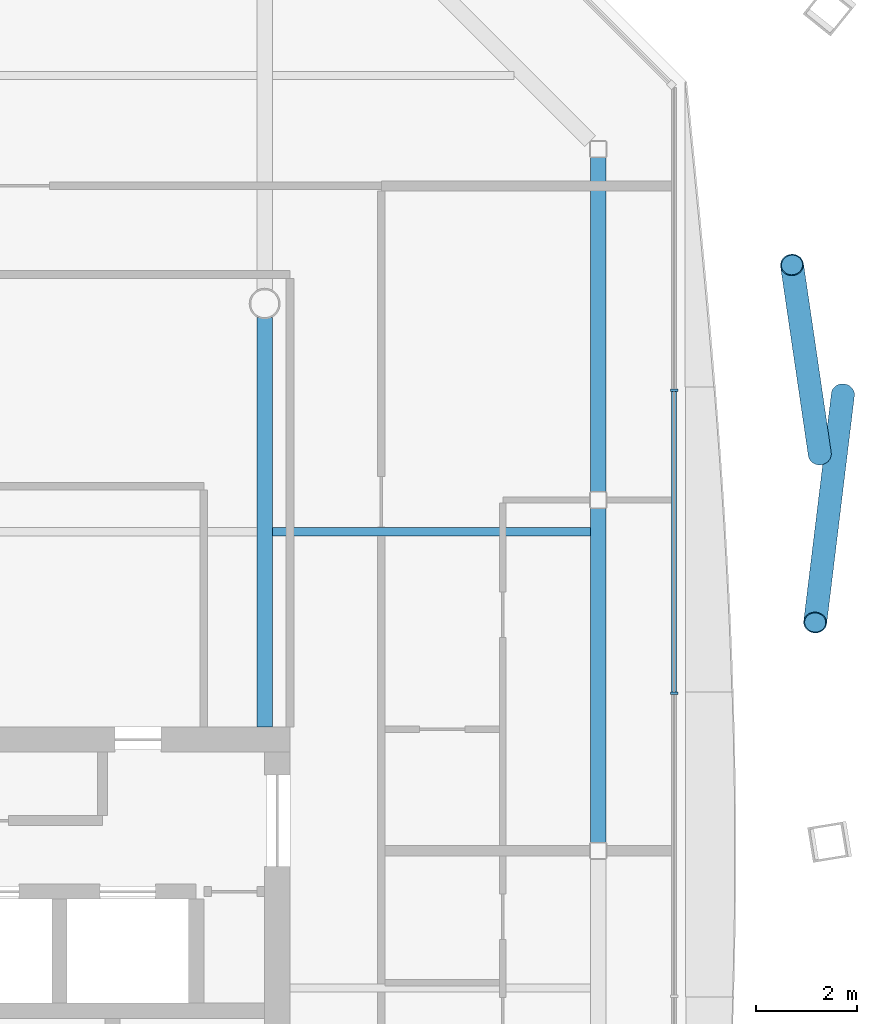
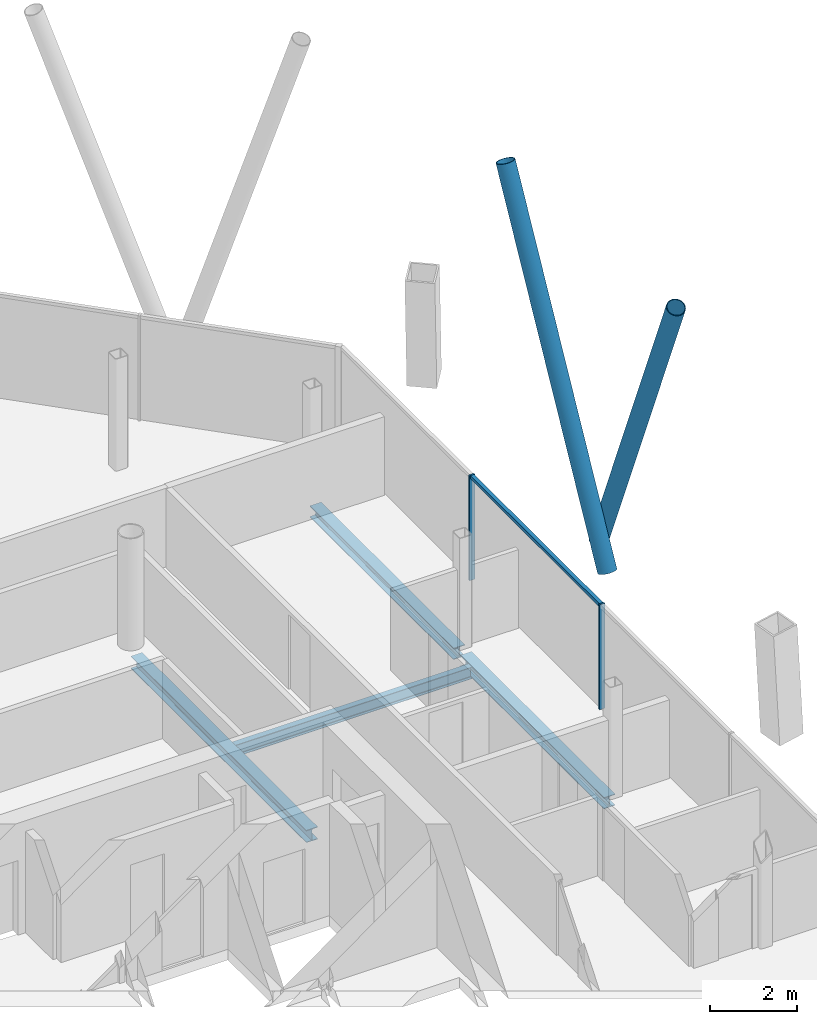
# One storey, part 8 of 19: 5 members, 4 beams, 1 element without a shape of its own.
"""IFC4 building model written with IfcOpenShell, lengths in metres."""

from ifc_helpers import new_model, si_unit, direction, frame, origin, origin_2d, place, context, subcontext, project, spatial, rectangle, hollow_circle, i_section, extrude, material, material_profile, profile_set, type_object, element, aggregate, save


model = new_model("IFC4")

# Units and contexts
model_context = context("Model", 3, precision=1e-05, world=origin(), true_north=direction((0.0, 1.0)))
body_context = subcontext(model_context, "Body", "Model", "MODEL_VIEW")
ifc_project = project(units=[si_unit("LENGTHUNIT", "METRE"), si_unit("AREAUNIT", "SQUARE_METRE"), si_unit("VOLUMEUNIT", "CUBIC_METRE"), si_unit("PLANEANGLEUNIT", "RADIAN"), si_unit("MASSUNIT", "GRAM", prefix="KILO")], contexts=[model_context])

# Site, building, storey
site_placement = place(None, origin())
site = spatial("IfcSite", under=ifc_project, at=site_placement, CompositionType="ELEMENT")
building_placement = place(site_placement, origin())
building = spatial("IfcBuilding", under=site, at=building_placement, Name="Tskaro Facet Tower", CompositionType="ELEMENT")
storey_placement = place(building_placement, frame((0.0, 0.0, 191.10009765625)))
storey = spatial("IfcBuildingStorey", under=building, at=storey_placement, Name="L48", CompositionType="ELEMENT", Elevation=191.10009765625)

# Members
ifc_material_1 = material(Name="Steel S355J2H", Category="steel")
ifc_material_profile_1 = material_profile(ifc_material_1, hollow_circle(Radius=0.228515625, WallThickness=0.02001953125, at=origin_2d()), Name="CHS 457x20")
ifc_profile_set_1 = profile_set([ifc_material_profile_1], Name="Steel S355J2H")
member_type_1 = type_object("IfcMemberType", Name="CHS 457x20 brace", PredefinedType="BRACE", material=ifc_profile_set_1)
member_1_placement = place(storey_placement, frame((19.951904296875, 6.031494140625, 0.0), z_axis=(-0.053817969941, 0.366840366664, 0.928725886092), x_axis=(-0.989409214742, -0.145153042623, 0.0)))
element("IfcMember", 1, at=member_1_placement, inside=storey, type_object=member_type_1, Name="CHS 457x20 XB05A/4", PredefinedType="BRACE", context=body_context, shape_type="SweptSolid", body=[
    extrude(hollow_circle(Radius=0.228515625, WallThickness=0.02001953125, at=origin_2d()), origin(), (0.0, 0.0, 1.0), 10.17529296875),
])
member_2_placement = place(storey_placement, frame((20.408935546875, 7.21142578125, 0.0), z_axis=(-0.052242906414, -0.429519142743, 0.901545331498), x_axis=(0.992684007914, -0.120741295469, 0.0)))
element("IfcMember", 2, at=member_2_placement, inside=storey, type_object=member_type_1, Name="CHS 457x20 XB05B/4", PredefinedType="BRACE", context=body_context, shape_type="SweptSolid", body=[
    extrude(hollow_circle(Radius=0.228515625, WallThickness=0.02001953125, at=origin_2d()), origin(), (0.0, 0.0, 1.0), 10.48193359375),
])

# Curtain wall, members
ifc_material_2 = material(Name="Bronze anodised aluminium 6063-T6", Category="aluminium")
curtain_wall_type = type_object("IfcCurtainWallType", Name="Bronze residence curtain wall (FW3)", PredefinedType="NOTDEFINED", material=ifc_material_2)
curtain_wall_placement = place(storey_placement, origin())
curtain_wall = element("IfcCurtainWall", 3, at=curtain_wall_placement, inside=storey, type_object=curtain_wall_type, Name="FW3 east facet L48", PredefinedType="NOTDEFINED")
ifc_material_profile_2 = material_profile(ifc_material_2, rectangle(XDim=0.050048828125, YDim=0.139892578125, at=origin_2d()), Name="Mullion 50x140")
ifc_profile_set_2 = profile_set([ifc_material_profile_2], Name="Bronze anodised aluminium 6063-T6")
member_type_2 = type_object("IfcMemberType", Name="FW3 bronze mullion 50x140", PredefinedType="MULLION", material=ifc_profile_set_2)
member_3_placement = place(storey_placement, frame((17.080078125, 1.314697265625, 0.0), z_axis=(0.0, 0.0, 1.0), x_axis=(0.0, 1.0, 0.0)))
member_3 = element("IfcMember", 4, at=member_3_placement, type_object=member_type_2, Name="FW3 east mullion 3", PredefinedType="MULLION", context=body_context, shape_type="SweptSolid", body=[
    extrude(rectangle(XDim=0.050048828125, YDim=0.139892578125, at=origin_2d()), origin(), (0.0, 0.0, 1.0), 2.949951171875),
])
member_4_placement = place(storey_placement, frame((17.080078125, 7.29248046875, 0.0), z_axis=(0.0, 0.0, 1.0), x_axis=(0.0, 1.0, 0.0)))
member_4 = element("IfcMember", 5, at=member_4_placement, type_object=member_type_2, Name="FW3 east mullion 4", PredefinedType="MULLION", context=body_context, shape_type="SweptSolid", body=[
    extrude(rectangle(XDim=0.050048828125, YDim=0.139892578125, at=origin_2d()), origin(), (0.0, 0.0, 1.0), 2.949951171875),
])
ifc_material_profile_3 = material_profile(ifc_material_2, rectangle(XDim=0.10009765625, YDim=0.090087890625, at=origin_2d()), Name="Transom 100x90")
ifc_profile_set_3 = profile_set([ifc_material_profile_3], Name="Bronze anodised aluminium 6063-T6")
member_type_3 = type_object("IfcMemberType", Name="FW3 bronze transom 100x90", PredefinedType="USERDEFINED", material=ifc_profile_set_3)
member_5_placement = place(storey_placement, frame((17.080078125, 1.33984375, 2.90478515625), z_axis=(0.0, 1.0, 0.0), x_axis=(-1.0, 0.0, 0.0)))
member_5 = element("IfcMember", 6, at=member_5_placement, type_object=member_type_3, Name="FW3 east transom 4.1", ObjectType="TRANSOM", PredefinedType="USERDEFINED", context=body_context, shape_type="SweptSolid", body=[
    extrude(rectangle(XDim=0.10009765625, YDim=0.090087890625, at=origin_2d()), origin(), (0.0, 0.0, 1.0), 5.927490234375),
])
aggregate(curtain_wall, [member_3, member_4, member_5])

# Beams
ifc_material_3 = material(Name="Steel S355J2", Category="steel")
ifc_material_profile_4 = material_profile(ifc_material_3, i_section(OverallWidth=0.300048828125, OverallDepth=0.320068359375, WebThickness=0.011474609375, FlangeThickness=0.0205078125, FilletRadius=0.027099609375, at=origin_2d()), Name="HE 320 B")
ifc_profile_set_4 = profile_set([ifc_material_profile_4], Name="Steel S355J2")
beam_type_1 = type_object("IfcBeamType", Name="HE 320 B ring beam", PredefinedType="BEAM", material=ifc_profile_set_4)
beam_1_placement = place(storey_placement, frame((15.5830078125, -1.637939453125, -0.300048828125), z_axis=(0.0, 1.0, 0.0), x_axis=(-1.0, 0.0, 0.0)))
element("IfcBeam", 7, at=beam_1_placement, inside=storey, type_object=beam_type_1, Name="HE 320 B EB8-4", PredefinedType="BEAM", context=body_context, shape_type="SweptSolid", body=[
    extrude(i_section(OverallWidth=0.300048828125, OverallDepth=0.320068359375, WebThickness=0.011474609375, FlangeThickness=0.0205078125, FilletRadius=0.027099609375, at=origin_2d()), origin(), (0.0, 0.0, 1.0), 6.60888671875),
])
beam_2_placement = place(storey_placement, frame((15.5830078125, 5.281005859375, -0.300048828125), z_axis=(0.0, 1.0, 0.0), x_axis=(-1.0, 0.0, 0.0)))
element("IfcBeam", 8, at=beam_2_placement, inside=storey, type_object=beam_type_1, Name="HE 320 B EB9-4", PredefinedType="BEAM", context=body_context, shape_type="SweptSolid", body=[
    extrude(i_section(OverallWidth=0.300048828125, OverallDepth=0.320068359375, WebThickness=0.011474609375, FlangeThickness=0.0205078125, FilletRadius=0.027099609375, at=origin_2d()), origin(), (0.0, 0.0, 1.0), 6.610107421875),
])
ifc_material_profile_5 = material_profile(ifc_material_3, i_section(OverallWidth=0.300048828125, OverallDepth=0.35009765625, WebThickness=0.010009765625, FlangeThickness=0.017578125, FilletRadius=0.027099609375, at=origin_2d()), Name="HE 360 A")
ifc_profile_set_5 = profile_set([ifc_material_profile_5], Name="Steel S355J2")
beam_type_2 = type_object("IfcBeamType", Name="HE 360 A girder", PredefinedType="BEAM", material=ifc_profile_set_5)
beam_3_placement = place(storey_placement, frame((9.0, 0.64990234375, -0.315185546875), z_axis=(0.0, 1.0, 0.0), x_axis=(-1.0, 0.0, 0.0)))
element("IfcBeam", 9, at=beam_3_placement, inside=storey, type_object=beam_type_2, Name="HE 360 A GB5-2-4", PredefinedType="BEAM", context=body_context, shape_type="SweptSolid", body=[
    extrude(i_section(OverallWidth=0.300048828125, OverallDepth=0.35009765625, WebThickness=0.010009765625, FlangeThickness=0.017578125, FilletRadius=0.027099609375, at=origin_2d()), origin(), (0.0, 0.0, 1.0), 8.0751953125),
])
ifc_material_profile_6 = material_profile(ifc_material_3, i_section(OverallWidth=0.159912109375, OverallDepth=0.330078125, WebThickness=0.007568359375, FlangeThickness=0.011474609375, FilletRadius=0.01806640625, at=origin_2d()), Name="IPE 330")
ifc_profile_set_6 = profile_set([ifc_material_profile_6], Name="Steel S355J2")
beam_type_3 = type_object("IfcBeamType", Name="IPE 330 secondary beam", PredefinedType="BEAM", material=ifc_profile_set_6)
beam_4_placement = place(storey_placement, frame((9.14990234375, 4.5, -0.30517578125), z_axis=(1.0, 0.0, 0.0), x_axis=(0.0, 1.0, 0.0)))
element("IfcBeam", 10, at=beam_4_placement, inside=storey, type_object=beam_type_3, Name="IPE 330 SB4a-5-4", PredefinedType="BEAM", context=body_context, shape_type="SweptSolid", body=[
    extrude(i_section(OverallWidth=0.159912109375, OverallDepth=0.330078125, WebThickness=0.007568359375, FlangeThickness=0.011474609375, FilletRadius=0.01806640625, at=origin_2d()), origin(), (0.0, 0.0, 1.0), 6.283203125),
])

save(model, "model.ifc")
